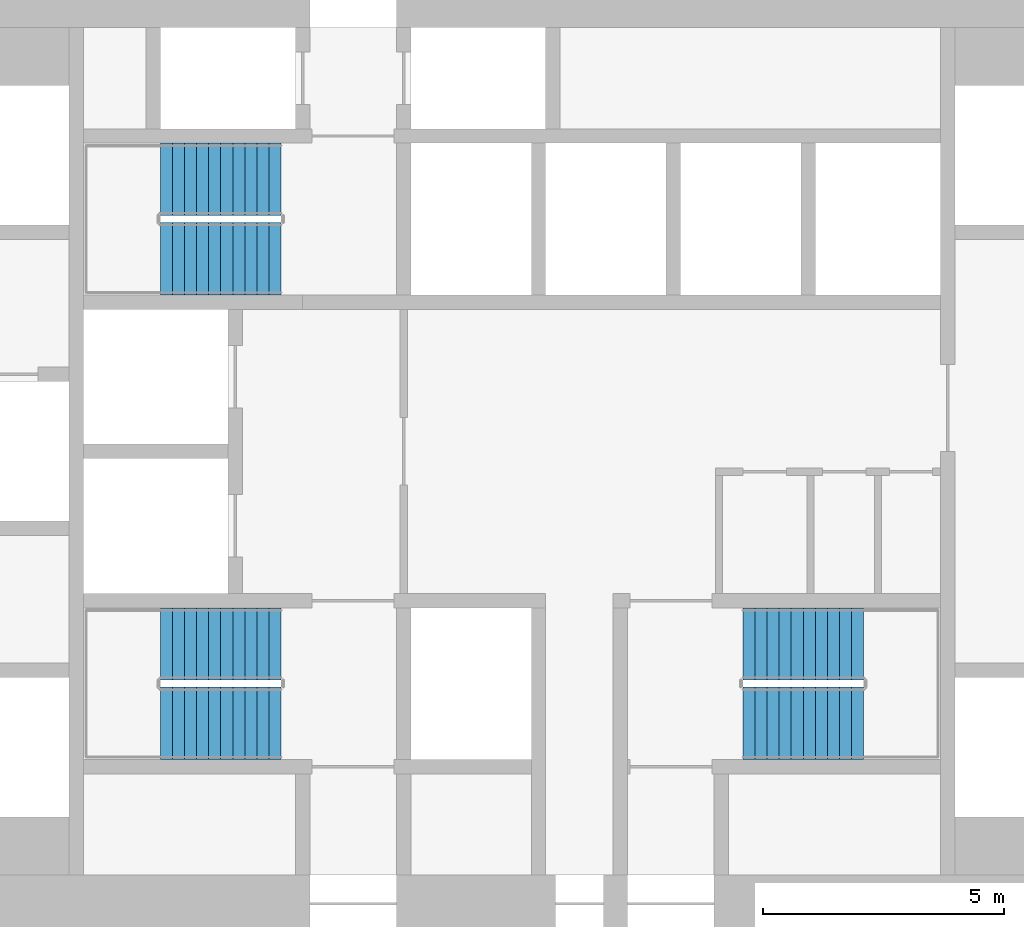
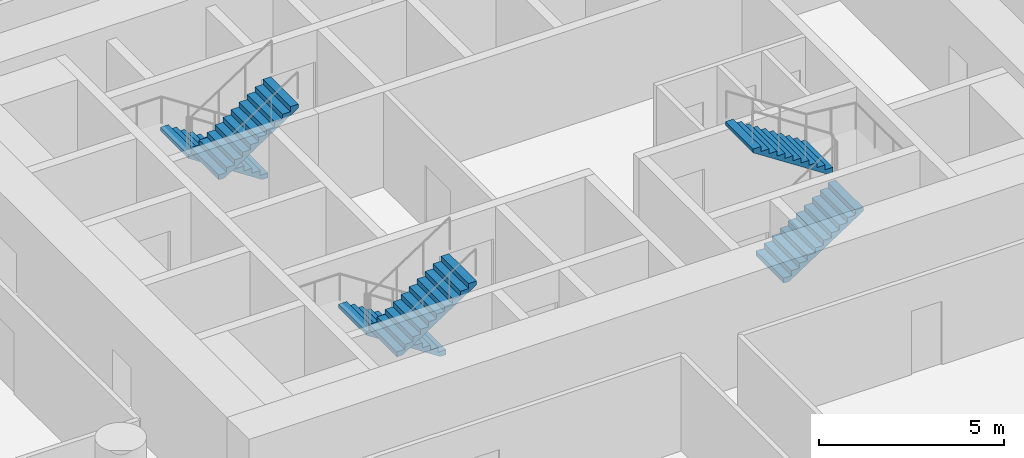
# One storey, part 10 of 11: 6 stair flights, 3 elements without a shape of their own.
"""IFC4 building model written with IfcOpenShell, lengths in metres."""

from ifc_helpers import new_model, si_unit, direction, frame, origin, place, context, subcontext, project, spatial, polyline, outline, extrude, material, type_object, element, aggregate, save


model = new_model("IFC4")

# Units and contexts
model_context = context("Model", 3, precision=1e-05, world=origin(), true_north=direction((0.0, 1.0)))
body_context = subcontext(model_context, "Body", "Model", "MODEL_VIEW")
ifc_project = project(units=[si_unit("LENGTHUNIT", "METRE"), si_unit("AREAUNIT", "SQUARE_METRE"), si_unit("VOLUMEUNIT", "CUBIC_METRE"), si_unit("PLANEANGLEUNIT", "RADIAN"), si_unit("MASSUNIT", "GRAM", prefix="KILO")], contexts=[model_context])

# Site, building, storey
site_placement = place(None, origin())
site = spatial("IfcSite", under=ifc_project, at=site_placement, CompositionType="ELEMENT")
building_placement = place(site_placement, origin())
building = spatial("IfcBuilding", under=site, at=building_placement, Name="Tracery Tower", CompositionType="ELEMENT")
storey_placement = place(building_placement, frame((0.0, 0.0, 100.199951171875)))
storey = spatial("IfcBuildingStorey", under=building, at=storey_placement, Name="L25", CompositionType="ELEMENT", Elevation=100.199951171875)

# Stair, stair flights
ifc_material_1 = material(Name="Concrete C32/40", Category="concrete")
stair_type = type_object("IfcStairType", Name="Core stair 22 risers", PredefinedType="HALF_TURN_STAIR", material=ifc_material_1)
stair_1_placement = place(storey_placement, origin())
stair_1 = element("IfcStair", 1, at=stair_1_placement, inside=storey, type_object=stair_type, Name="L25 stair ST1", PredefinedType="HALF_TURN_STAIR")
ifc_material_2 = material(Name="Concrete C32/40", Category="concrete")
stair_flight_type = type_object("IfcStairFlightType", Name="Core stair flight 11 risers", PredefinedType="STRAIGHT", material=ifc_material_2)
stair_flight_1_placement = place(storey_placement, frame((-4.800048828125, -4.0, 0.0), z_axis=(0.0, 0.0, 1.0), x_axis=(-1.0, 0.0, 0.0)))
stair_flight_1 = element("IfcStairFlight", 2, at=stair_flight_1_placement, type_object=stair_flight_type, Name="ST1 flight 1", NumberOfRisers=11, NumberOfTreads=10, PredefinedType="STRAIGHT", RiserHeight=0.163636364, TreadLength=0.25, context=body_context, shape_type="SweptSolid", body=[
    extrude(outline(polyline([(0.0, 0.0), (0.0, 0.002685546875), (0.0, 0.00537109375), (0.0, 0.008056640625), (0.0, 0.0107421875), (0.0, 0.013427734375), (0.0, 0.01611328125), (0.0, 0.018798828125), (0.0, 0.021484375), (0.0, 0.024169921875), (0.0, 0.02685546875), (0.0, 0.029541015625), (0.0, 0.0322265625), (0.0, 0.034912109375), (0.0, 0.03759765625), (0.0, 0.040283203125), (0.0, 0.04296875), (0.0, 0.045654296875), (0.0, 0.04833984375), (0.0, 0.051025390625), (0.0, 0.0537109375), (0.0, 0.056396484375), (0.0, 0.05908203125), (0.0, 0.061767578125), (0.0, 0.064453125), (0.0, 0.067138671875), (0.0, 0.06982421875), (0.0, 0.072509765625), (0.0, 0.0751953125), (0.0, 0.077880859375), (0.0, 0.08056640625), (0.0, 0.083251953125), (0.0, 0.0859375), (0.0, 0.088623046875), (0.0, 0.09130859375), (0.0, 0.093994140625), (0.0, 0.0966796875), (0.0, 0.099365234375), (0.0, 0.10205078125), (0.0, 0.104736328125), (0.0, 0.107421875), (0.0, 0.10986328125), (0.0, 0.112548828125), (0.0, 0.115234375), (0.0, 0.117919921875), (0.0, 0.12060546875), (0.0, 0.123291015625), (0.0, 0.1259765625), (0.0, 0.128662109375), (0.0, 0.13134765625), (0.0, 0.134033203125), (0.0, 0.13671875), (0.0, 0.139404296875), (0.0, 0.14208984375), (0.0, 0.144775390625), (0.0, 0.1474609375), (0.0, 0.150146484375), (0.0, 0.15283203125), (0.0, 0.155517578125), (0.0, 0.158203125), (0.0, 0.160888671875), (0.0, 0.16357421875), (0.25, 0.16357421875), (0.25, 0.327392578125), (0.5, 0.327392578125), (0.5, 0.490966796875), (0.75, 0.490966796875), (0.75, 0.654541015625), (1.0, 0.654541015625), (1.0, 0.818115234375), (1.25, 0.818115234375), (1.25, 0.98193359375), (1.5, 0.98193359375), (1.5, 1.1455078125), (1.75, 1.1455078125), (1.75, 1.30908203125), (2.0, 1.30908203125), (2.0, 1.47265625), (2.25, 1.47265625), (2.25, 1.636474609375), (2.5, 1.636474609375), (2.5, 1.634521484375), (2.5, 1.63232421875), (2.5, 1.63037109375), (2.5, 1.62841796875), (2.5, 1.62646484375), (2.5, 1.62451171875), (2.5, 1.62255859375), (2.5, 1.62060546875), (2.5, 1.61865234375), (2.5, 1.61669921875), (2.5, 1.61474609375), (2.5, 1.61279296875), (2.5, 1.61083984375), (2.5, 1.60888671875), (2.5, 1.60693359375), (2.5, 1.60498046875), (2.5, 1.60302734375), (2.5, 1.60107421875), (2.5, 1.59912109375), (2.5, 1.59716796875), (2.5, 1.59521484375), (2.5, 1.59326171875), (2.5, 1.59130859375), (2.5, 1.58935546875), (2.5, 1.58740234375), (2.5, 1.58544921875), (2.5, 1.58349609375), (2.5, 1.58154296875), (2.5, 1.57958984375), (2.5, 1.57763671875), (2.5, 1.57568359375), (2.5, 1.573486328125), (2.5, 1.571533203125), (2.5, 1.569580078125), (2.5, 1.567626953125), (2.5, 1.565673828125), (2.5, 1.563720703125), (2.5, 1.561767578125), (2.5, 1.559814453125), (2.5, 1.557861328125), (2.5, 1.555908203125), (2.5, 1.553955078125), (2.5, 1.552001953125), (2.5, 1.550048828125), (2.5, 1.548095703125), (2.5, 1.546142578125), (2.5, 1.544189453125), (2.5, 1.542236328125), (2.5, 1.540283203125), (2.5, 1.538330078125), (2.5, 1.536376953125), (2.5, 1.534423828125), (2.5, 1.532470703125), (2.5, 1.530517578125), (2.5, 1.528564453125), (2.5, 1.526611328125), (2.5, 1.524658203125), (2.5, 1.522705078125), (2.5, 1.520751953125), (2.5, 1.518798828125), (2.5, 1.516845703125), (0.182861328125, 0.0), (0.0, 0.0)])), frame((0.0, 0.75, 0.0), z_axis=(0.0, -1.0, 0.0), x_axis=(1.0, 0.0, 0.0)), (0.0, 0.0, 1.0), 1.5),
])
stair_flight_2_placement = place(storey_placement, frame((-7.300048828125, -5.64990234375, 1.800048828125), z_axis=(0.0, 0.0, 1.0), x_axis=(1.0, 0.0, 0.0)))
stair_flight_2 = element("IfcStairFlight", 3, at=stair_flight_2_placement, type_object=stair_flight_type, Name="ST1 flight 2", NumberOfRisers=11, NumberOfTreads=10, PredefinedType="STRAIGHT", RiserHeight=0.163636364, TreadLength=0.25, context=body_context, shape_type="SweptSolid", body=[
    extrude(outline(polyline([(0.0, 0.0), (0.0, 0.002685546875), (0.0, 0.00537109375), (0.0, 0.008056640625), (0.0, 0.0107421875), (0.0, 0.013427734375), (0.0, 0.01611328125), (0.0, 0.018798828125), (0.0, 0.021484375), (0.0, 0.024169921875), (0.0, 0.02685546875), (0.0, 0.029541015625), (0.0, 0.0322265625), (0.0, 0.034912109375), (0.0, 0.03759765625), (0.0, 0.040283203125), (0.0, 0.04296875), (0.0, 0.045654296875), (0.0, 0.04833984375), (0.0, 0.051025390625), (0.0, 0.0537109375), (0.0, 0.056396484375), (0.0, 0.05908203125), (0.0, 0.061767578125), (0.0, 0.064453125), (0.0, 0.067138671875), (0.0, 0.06982421875), (0.0, 0.072509765625), (0.0, 0.0751953125), (0.0, 0.077880859375), (0.0, 0.08056640625), (0.0, 0.083251953125), (0.0, 0.0859375), (0.0, 0.088623046875), (0.0, 0.09130859375), (0.0, 0.093994140625), (0.0, 0.0966796875), (0.0, 0.099365234375), (0.0, 0.10205078125), (0.0, 0.104736328125), (0.0, 0.107421875), (0.0, 0.10986328125), (0.0, 0.112548828125), (0.0, 0.115234375), (0.0, 0.117919921875), (0.0, 0.12060546875), (0.0, 0.123291015625), (0.0, 0.1259765625), (0.0, 0.128662109375), (0.0, 0.13134765625), (0.0, 0.134033203125), (0.0, 0.13671875), (0.0, 0.139404296875), (0.0, 0.14208984375), (0.0, 0.144775390625), (0.0, 0.1474609375), (0.0, 0.150146484375), (0.0, 0.15283203125), (0.0, 0.155517578125), (0.0, 0.158203125), (0.0, 0.160888671875), (0.0, 0.16357421875), (0.25, 0.16357421875), (0.25, 0.327392578125), (0.5, 0.327392578125), (0.5, 0.490966796875), (0.75, 0.490966796875), (0.75, 0.654541015625), (1.0, 0.654541015625), (1.0, 0.818115234375), (1.25, 0.818115234375), (1.25, 0.98193359375), (1.5, 0.98193359375), (1.5, 1.1455078125), (1.75, 1.1455078125), (1.75, 1.30908203125), (2.0, 1.30908203125), (2.0, 1.47265625), (2.25, 1.47265625), (2.25, 1.636474609375), (2.5, 1.636474609375), (2.5, 1.634521484375), (2.5, 1.63232421875), (2.5, 1.63037109375), (2.5, 1.62841796875), (2.5, 1.62646484375), (2.5, 1.62451171875), (2.5, 1.62255859375), (2.5, 1.62060546875), (2.5, 1.61865234375), (2.5, 1.61669921875), (2.5, 1.61474609375), (2.5, 1.61279296875), (2.5, 1.61083984375), (2.5, 1.60888671875), (2.5, 1.60693359375), (2.5, 1.60498046875), (2.5, 1.60302734375), (2.5, 1.60107421875), (2.5, 1.59912109375), (2.5, 1.59716796875), (2.5, 1.59521484375), (2.5, 1.59326171875), (2.5, 1.59130859375), (2.5, 1.58935546875), (2.5, 1.58740234375), (2.5, 1.58544921875), (2.5, 1.58349609375), (2.5, 1.58154296875), (2.5, 1.57958984375), (2.5, 1.57763671875), (2.5, 1.57568359375), (2.5, 1.573486328125), (2.5, 1.571533203125), (2.5, 1.569580078125), (2.5, 1.567626953125), (2.5, 1.565673828125), (2.5, 1.563720703125), (2.5, 1.561767578125), (2.5, 1.559814453125), (2.5, 1.557861328125), (2.5, 1.555908203125), (2.5, 1.553955078125), (2.5, 1.552001953125), (2.5, 1.550048828125), (2.5, 1.548095703125), (2.5, 1.546142578125), (2.5, 1.544189453125), (2.5, 1.542236328125), (2.5, 1.540283203125), (2.5, 1.538330078125), (2.5, 1.536376953125), (2.5, 1.534423828125), (2.5, 1.532470703125), (2.5, 1.530517578125), (2.5, 1.528564453125), (2.5, 1.526611328125), (2.5, 1.524658203125), (2.5, 1.522705078125), (2.5, 1.520751953125), (2.5, 1.518798828125), (2.5, 1.516845703125), (0.182861328125, 0.0), (0.0, 0.0)])), frame((0.0, 0.75, 0.0), z_axis=(0.0, -1.0, 0.0), x_axis=(1.0, 0.0, 0.0)), (0.0, 0.0, 1.0), 1.5),
])
aggregate(stair_1, [stair_flight_1, stair_flight_2])

stair_2_placement = place(storey_placement, origin())
stair_2 = element("IfcStair", 4, at=stair_2_placement, inside=storey, type_object=stair_type, Name="L25 stair ST3", PredefinedType="HALF_TURN_STAIR")
stair_flight_3_placement = place(storey_placement, frame((-4.800048828125, 5.64990234375, 0.0), z_axis=(0.0, 0.0, 1.0), x_axis=(-1.0, 0.0, 0.0)))
stair_flight_3 = element("IfcStairFlight", 5, at=stair_flight_3_placement, type_object=stair_flight_type, Name="ST3 flight 1", NumberOfRisers=11, NumberOfTreads=10, PredefinedType="STRAIGHT", RiserHeight=0.163636364, TreadLength=0.25, context=body_context, shape_type="SweptSolid", body=[
    extrude(outline(polyline([(0.0, 0.0), (0.0, 0.002685546875), (0.0, 0.00537109375), (0.0, 0.008056640625), (0.0, 0.0107421875), (0.0, 0.013427734375), (0.0, 0.01611328125), (0.0, 0.018798828125), (0.0, 0.021484375), (0.0, 0.024169921875), (0.0, 0.02685546875), (0.0, 0.029541015625), (0.0, 0.0322265625), (0.0, 0.034912109375), (0.0, 0.03759765625), (0.0, 0.040283203125), (0.0, 0.04296875), (0.0, 0.045654296875), (0.0, 0.04833984375), (0.0, 0.051025390625), (0.0, 0.0537109375), (0.0, 0.056396484375), (0.0, 0.05908203125), (0.0, 0.061767578125), (0.0, 0.064453125), (0.0, 0.067138671875), (0.0, 0.06982421875), (0.0, 0.072509765625), (0.0, 0.0751953125), (0.0, 0.077880859375), (0.0, 0.08056640625), (0.0, 0.083251953125), (0.0, 0.0859375), (0.0, 0.088623046875), (0.0, 0.09130859375), (0.0, 0.093994140625), (0.0, 0.0966796875), (0.0, 0.099365234375), (0.0, 0.10205078125), (0.0, 0.104736328125), (0.0, 0.107421875), (0.0, 0.10986328125), (0.0, 0.112548828125), (0.0, 0.115234375), (0.0, 0.117919921875), (0.0, 0.12060546875), (0.0, 0.123291015625), (0.0, 0.1259765625), (0.0, 0.128662109375), (0.0, 0.13134765625), (0.0, 0.134033203125), (0.0, 0.13671875), (0.0, 0.139404296875), (0.0, 0.14208984375), (0.0, 0.144775390625), (0.0, 0.1474609375), (0.0, 0.150146484375), (0.0, 0.15283203125), (0.0, 0.155517578125), (0.0, 0.158203125), (0.0, 0.160888671875), (0.0, 0.16357421875), (0.25, 0.16357421875), (0.25, 0.327392578125), (0.5, 0.327392578125), (0.5, 0.490966796875), (0.75, 0.490966796875), (0.75, 0.654541015625), (1.0, 0.654541015625), (1.0, 0.818115234375), (1.25, 0.818115234375), (1.25, 0.98193359375), (1.5, 0.98193359375), (1.5, 1.1455078125), (1.75, 1.1455078125), (1.75, 1.30908203125), (2.0, 1.30908203125), (2.0, 1.47265625), (2.25, 1.47265625), (2.25, 1.636474609375), (2.5, 1.636474609375), (2.5, 1.634521484375), (2.5, 1.63232421875), (2.5, 1.63037109375), (2.5, 1.62841796875), (2.5, 1.62646484375), (2.5, 1.62451171875), (2.5, 1.62255859375), (2.5, 1.62060546875), (2.5, 1.61865234375), (2.5, 1.61669921875), (2.5, 1.61474609375), (2.5, 1.61279296875), (2.5, 1.61083984375), (2.5, 1.60888671875), (2.5, 1.60693359375), (2.5, 1.60498046875), (2.5, 1.60302734375), (2.5, 1.60107421875), (2.5, 1.59912109375), (2.5, 1.59716796875), (2.5, 1.59521484375), (2.5, 1.59326171875), (2.5, 1.59130859375), (2.5, 1.58935546875), (2.5, 1.58740234375), (2.5, 1.58544921875), (2.5, 1.58349609375), (2.5, 1.58154296875), (2.5, 1.57958984375), (2.5, 1.57763671875), (2.5, 1.57568359375), (2.5, 1.573486328125), (2.5, 1.571533203125), (2.5, 1.569580078125), (2.5, 1.567626953125), (2.5, 1.565673828125), (2.5, 1.563720703125), (2.5, 1.561767578125), (2.5, 1.559814453125), (2.5, 1.557861328125), (2.5, 1.555908203125), (2.5, 1.553955078125), (2.5, 1.552001953125), (2.5, 1.550048828125), (2.5, 1.548095703125), (2.5, 1.546142578125), (2.5, 1.544189453125), (2.5, 1.542236328125), (2.5, 1.540283203125), (2.5, 1.538330078125), (2.5, 1.536376953125), (2.5, 1.534423828125), (2.5, 1.532470703125), (2.5, 1.530517578125), (2.5, 1.528564453125), (2.5, 1.526611328125), (2.5, 1.524658203125), (2.5, 1.522705078125), (2.5, 1.520751953125), (2.5, 1.518798828125), (2.5, 1.516845703125), (0.182861328125, 0.0), (0.0, 0.0)])), frame((0.0, 0.75, 0.0), z_axis=(0.0, -1.0, 0.0), x_axis=(1.0, 0.0, 0.0)), (0.0, 0.0, 1.0), 1.5),
])
stair_flight_4_placement = place(storey_placement, frame((-7.300048828125, 4.0, 1.800048828125), z_axis=(0.0, 0.0, 1.0), x_axis=(1.0, 0.0, 0.0)))
stair_flight_4 = element("IfcStairFlight", 6, at=stair_flight_4_placement, type_object=stair_flight_type, Name="ST3 flight 2", NumberOfRisers=11, NumberOfTreads=10, PredefinedType="STRAIGHT", RiserHeight=0.163636364, TreadLength=0.25, context=body_context, shape_type="SweptSolid", body=[
    extrude(outline(polyline([(0.0, 0.0), (0.0, 0.002685546875), (0.0, 0.00537109375), (0.0, 0.008056640625), (0.0, 0.0107421875), (0.0, 0.013427734375), (0.0, 0.01611328125), (0.0, 0.018798828125), (0.0, 0.021484375), (0.0, 0.024169921875), (0.0, 0.02685546875), (0.0, 0.029541015625), (0.0, 0.0322265625), (0.0, 0.034912109375), (0.0, 0.03759765625), (0.0, 0.040283203125), (0.0, 0.04296875), (0.0, 0.045654296875), (0.0, 0.04833984375), (0.0, 0.051025390625), (0.0, 0.0537109375), (0.0, 0.056396484375), (0.0, 0.05908203125), (0.0, 0.061767578125), (0.0, 0.064453125), (0.0, 0.067138671875), (0.0, 0.06982421875), (0.0, 0.072509765625), (0.0, 0.0751953125), (0.0, 0.077880859375), (0.0, 0.08056640625), (0.0, 0.083251953125), (0.0, 0.0859375), (0.0, 0.088623046875), (0.0, 0.09130859375), (0.0, 0.093994140625), (0.0, 0.0966796875), (0.0, 0.099365234375), (0.0, 0.10205078125), (0.0, 0.104736328125), (0.0, 0.107421875), (0.0, 0.10986328125), (0.0, 0.112548828125), (0.0, 0.115234375), (0.0, 0.117919921875), (0.0, 0.12060546875), (0.0, 0.123291015625), (0.0, 0.1259765625), (0.0, 0.128662109375), (0.0, 0.13134765625), (0.0, 0.134033203125), (0.0, 0.13671875), (0.0, 0.139404296875), (0.0, 0.14208984375), (0.0, 0.144775390625), (0.0, 0.1474609375), (0.0, 0.150146484375), (0.0, 0.15283203125), (0.0, 0.155517578125), (0.0, 0.158203125), (0.0, 0.160888671875), (0.0, 0.16357421875), (0.25, 0.16357421875), (0.25, 0.327392578125), (0.5, 0.327392578125), (0.5, 0.490966796875), (0.75, 0.490966796875), (0.75, 0.654541015625), (1.0, 0.654541015625), (1.0, 0.818115234375), (1.25, 0.818115234375), (1.25, 0.98193359375), (1.5, 0.98193359375), (1.5, 1.1455078125), (1.75, 1.1455078125), (1.75, 1.30908203125), (2.0, 1.30908203125), (2.0, 1.47265625), (2.25, 1.47265625), (2.25, 1.636474609375), (2.5, 1.636474609375), (2.5, 1.634521484375), (2.5, 1.63232421875), (2.5, 1.63037109375), (2.5, 1.62841796875), (2.5, 1.62646484375), (2.5, 1.62451171875), (2.5, 1.62255859375), (2.5, 1.62060546875), (2.5, 1.61865234375), (2.5, 1.61669921875), (2.5, 1.61474609375), (2.5, 1.61279296875), (2.5, 1.61083984375), (2.5, 1.60888671875), (2.5, 1.60693359375), (2.5, 1.60498046875), (2.5, 1.60302734375), (2.5, 1.60107421875), (2.5, 1.59912109375), (2.5, 1.59716796875), (2.5, 1.59521484375), (2.5, 1.59326171875), (2.5, 1.59130859375), (2.5, 1.58935546875), (2.5, 1.58740234375), (2.5, 1.58544921875), (2.5, 1.58349609375), (2.5, 1.58154296875), (2.5, 1.57958984375), (2.5, 1.57763671875), (2.5, 1.57568359375), (2.5, 1.573486328125), (2.5, 1.571533203125), (2.5, 1.569580078125), (2.5, 1.567626953125), (2.5, 1.565673828125), (2.5, 1.563720703125), (2.5, 1.561767578125), (2.5, 1.559814453125), (2.5, 1.557861328125), (2.5, 1.555908203125), (2.5, 1.553955078125), (2.5, 1.552001953125), (2.5, 1.550048828125), (2.5, 1.548095703125), (2.5, 1.546142578125), (2.5, 1.544189453125), (2.5, 1.542236328125), (2.5, 1.540283203125), (2.5, 1.538330078125), (2.5, 1.536376953125), (2.5, 1.534423828125), (2.5, 1.532470703125), (2.5, 1.530517578125), (2.5, 1.528564453125), (2.5, 1.526611328125), (2.5, 1.524658203125), (2.5, 1.522705078125), (2.5, 1.520751953125), (2.5, 1.518798828125), (2.5, 1.516845703125), (0.182861328125, 0.0), (0.0, 0.0)])), frame((0.0, 0.75, 0.0), z_axis=(0.0, -1.0, 0.0), x_axis=(1.0, 0.0, 0.0)), (0.0, 0.0, 1.0), 1.5),
])
aggregate(stair_2, [stair_flight_3, stair_flight_4])

stair_3_placement = place(storey_placement, origin())
stair_3 = element("IfcStair", 7, at=stair_3_placement, inside=storey, type_object=stair_type, Name="L25 stair ST2", PredefinedType="HALF_TURN_STAIR")
stair_flight_5_placement = place(storey_placement, frame((4.800048828125, -5.64990234375, 0.0), z_axis=(0.0, 0.0, 1.0), x_axis=(1.0, 0.0, 0.0)))
stair_flight_5 = element("IfcStairFlight", 8, at=stair_flight_5_placement, type_object=stair_flight_type, Name="ST2 flight 1", NumberOfRisers=11, NumberOfTreads=10, PredefinedType="STRAIGHT", RiserHeight=0.163636364, TreadLength=0.25, context=body_context, shape_type="SweptSolid", body=[
    extrude(outline(polyline([(0.0, 0.0), (0.0, 0.002685546875), (0.0, 0.00537109375), (0.0, 0.008056640625), (0.0, 0.0107421875), (0.0, 0.013427734375), (0.0, 0.01611328125), (0.0, 0.018798828125), (0.0, 0.021484375), (0.0, 0.024169921875), (0.0, 0.02685546875), (0.0, 0.029541015625), (0.0, 0.0322265625), (0.0, 0.034912109375), (0.0, 0.03759765625), (0.0, 0.040283203125), (0.0, 0.04296875), (0.0, 0.045654296875), (0.0, 0.04833984375), (0.0, 0.051025390625), (0.0, 0.0537109375), (0.0, 0.056396484375), (0.0, 0.05908203125), (0.0, 0.061767578125), (0.0, 0.064453125), (0.0, 0.067138671875), (0.0, 0.06982421875), (0.0, 0.072509765625), (0.0, 0.0751953125), (0.0, 0.077880859375), (0.0, 0.08056640625), (0.0, 0.083251953125), (0.0, 0.0859375), (0.0, 0.088623046875), (0.0, 0.09130859375), (0.0, 0.093994140625), (0.0, 0.0966796875), (0.0, 0.099365234375), (0.0, 0.10205078125), (0.0, 0.104736328125), (0.0, 0.107421875), (0.0, 0.10986328125), (0.0, 0.112548828125), (0.0, 0.115234375), (0.0, 0.117919921875), (0.0, 0.12060546875), (0.0, 0.123291015625), (0.0, 0.1259765625), (0.0, 0.128662109375), (0.0, 0.13134765625), (0.0, 0.134033203125), (0.0, 0.13671875), (0.0, 0.139404296875), (0.0, 0.14208984375), (0.0, 0.144775390625), (0.0, 0.1474609375), (0.0, 0.150146484375), (0.0, 0.15283203125), (0.0, 0.155517578125), (0.0, 0.158203125), (0.0, 0.160888671875), (0.0, 0.16357421875), (0.25, 0.16357421875), (0.25, 0.327392578125), (0.5, 0.327392578125), (0.5, 0.490966796875), (0.75, 0.490966796875), (0.75, 0.654541015625), (1.0, 0.654541015625), (1.0, 0.818115234375), (1.25, 0.818115234375), (1.25, 0.98193359375), (1.5, 0.98193359375), (1.5, 1.1455078125), (1.75, 1.1455078125), (1.75, 1.30908203125), (2.0, 1.30908203125), (2.0, 1.47265625), (2.25, 1.47265625), (2.25, 1.636474609375), (2.5, 1.636474609375), (2.5, 1.634521484375), (2.5, 1.63232421875), (2.5, 1.63037109375), (2.5, 1.62841796875), (2.5, 1.62646484375), (2.5, 1.62451171875), (2.5, 1.62255859375), (2.5, 1.62060546875), (2.5, 1.61865234375), (2.5, 1.61669921875), (2.5, 1.61474609375), (2.5, 1.61279296875), (2.5, 1.61083984375), (2.5, 1.60888671875), (2.5, 1.60693359375), (2.5, 1.60498046875), (2.5, 1.60302734375), (2.5, 1.60107421875), (2.5, 1.59912109375), (2.5, 1.59716796875), (2.5, 1.59521484375), (2.5, 1.59326171875), (2.5, 1.59130859375), (2.5, 1.58935546875), (2.5, 1.58740234375), (2.5, 1.58544921875), (2.5, 1.58349609375), (2.5, 1.58154296875), (2.5, 1.57958984375), (2.5, 1.57763671875), (2.5, 1.57568359375), (2.5, 1.573486328125), (2.5, 1.571533203125), (2.5, 1.569580078125), (2.5, 1.567626953125), (2.5, 1.565673828125), (2.5, 1.563720703125), (2.5, 1.561767578125), (2.5, 1.559814453125), (2.5, 1.557861328125), (2.5, 1.555908203125), (2.5, 1.553955078125), (2.5, 1.552001953125), (2.5, 1.550048828125), (2.5, 1.548095703125), (2.5, 1.546142578125), (2.5, 1.544189453125), (2.5, 1.542236328125), (2.5, 1.540283203125), (2.5, 1.538330078125), (2.5, 1.536376953125), (2.5, 1.534423828125), (2.5, 1.532470703125), (2.5, 1.530517578125), (2.5, 1.528564453125), (2.5, 1.526611328125), (2.5, 1.524658203125), (2.5, 1.522705078125), (2.5, 1.520751953125), (2.5, 1.518798828125), (2.5, 1.516845703125), (0.182861328125, 0.0), (0.0, 0.0)])), frame((0.0, 0.75, 0.0), z_axis=(0.0, -1.0, 0.0), x_axis=(1.0, 0.0, 0.0)), (0.0, 0.0, 1.0), 1.5),
])
stair_flight_6_placement = place(storey_placement, frame((7.300048828125, -4.0, 1.800048828125), z_axis=(0.0, 0.0, 1.0), x_axis=(-1.0, 0.0, 0.0)))
stair_flight_6 = element("IfcStairFlight", 9, at=stair_flight_6_placement, type_object=stair_flight_type, Name="ST2 flight 2", NumberOfRisers=11, NumberOfTreads=10, PredefinedType="STRAIGHT", RiserHeight=0.163636364, TreadLength=0.25, context=body_context, shape_type="SweptSolid", body=[
    extrude(outline(polyline([(0.0, 0.0), (0.0, 0.002685546875), (0.0, 0.00537109375), (0.0, 0.008056640625), (0.0, 0.0107421875), (0.0, 0.013427734375), (0.0, 0.01611328125), (0.0, 0.018798828125), (0.0, 0.021484375), (0.0, 0.024169921875), (0.0, 0.02685546875), (0.0, 0.029541015625), (0.0, 0.0322265625), (0.0, 0.034912109375), (0.0, 0.03759765625), (0.0, 0.040283203125), (0.0, 0.04296875), (0.0, 0.045654296875), (0.0, 0.04833984375), (0.0, 0.051025390625), (0.0, 0.0537109375), (0.0, 0.056396484375), (0.0, 0.05908203125), (0.0, 0.061767578125), (0.0, 0.064453125), (0.0, 0.067138671875), (0.0, 0.06982421875), (0.0, 0.072509765625), (0.0, 0.0751953125), (0.0, 0.077880859375), (0.0, 0.08056640625), (0.0, 0.083251953125), (0.0, 0.0859375), (0.0, 0.088623046875), (0.0, 0.09130859375), (0.0, 0.093994140625), (0.0, 0.0966796875), (0.0, 0.099365234375), (0.0, 0.10205078125), (0.0, 0.104736328125), (0.0, 0.107421875), (0.0, 0.10986328125), (0.0, 0.112548828125), (0.0, 0.115234375), (0.0, 0.117919921875), (0.0, 0.12060546875), (0.0, 0.123291015625), (0.0, 0.1259765625), (0.0, 0.128662109375), (0.0, 0.13134765625), (0.0, 0.134033203125), (0.0, 0.13671875), (0.0, 0.139404296875), (0.0, 0.14208984375), (0.0, 0.144775390625), (0.0, 0.1474609375), (0.0, 0.150146484375), (0.0, 0.15283203125), (0.0, 0.155517578125), (0.0, 0.158203125), (0.0, 0.160888671875), (0.0, 0.16357421875), (0.25, 0.16357421875), (0.25, 0.327392578125), (0.5, 0.327392578125), (0.5, 0.490966796875), (0.75, 0.490966796875), (0.75, 0.654541015625), (1.0, 0.654541015625), (1.0, 0.818115234375), (1.25, 0.818115234375), (1.25, 0.98193359375), (1.5, 0.98193359375), (1.5, 1.1455078125), (1.75, 1.1455078125), (1.75, 1.30908203125), (2.0, 1.30908203125), (2.0, 1.47265625), (2.25, 1.47265625), (2.25, 1.636474609375), (2.5, 1.636474609375), (2.5, 1.634521484375), (2.5, 1.63232421875), (2.5, 1.63037109375), (2.5, 1.62841796875), (2.5, 1.62646484375), (2.5, 1.62451171875), (2.5, 1.62255859375), (2.5, 1.62060546875), (2.5, 1.61865234375), (2.5, 1.61669921875), (2.5, 1.61474609375), (2.5, 1.61279296875), (2.5, 1.61083984375), (2.5, 1.60888671875), (2.5, 1.60693359375), (2.5, 1.60498046875), (2.5, 1.60302734375), (2.5, 1.60107421875), (2.5, 1.59912109375), (2.5, 1.59716796875), (2.5, 1.59521484375), (2.5, 1.59326171875), (2.5, 1.59130859375), (2.5, 1.58935546875), (2.5, 1.58740234375), (2.5, 1.58544921875), (2.5, 1.58349609375), (2.5, 1.58154296875), (2.5, 1.57958984375), (2.5, 1.57763671875), (2.5, 1.57568359375), (2.5, 1.573486328125), (2.5, 1.571533203125), (2.5, 1.569580078125), (2.5, 1.567626953125), (2.5, 1.565673828125), (2.5, 1.563720703125), (2.5, 1.561767578125), (2.5, 1.559814453125), (2.5, 1.557861328125), (2.5, 1.555908203125), (2.5, 1.553955078125), (2.5, 1.552001953125), (2.5, 1.550048828125), (2.5, 1.548095703125), (2.5, 1.546142578125), (2.5, 1.544189453125), (2.5, 1.542236328125), (2.5, 1.540283203125), (2.5, 1.538330078125), (2.5, 1.536376953125), (2.5, 1.534423828125), (2.5, 1.532470703125), (2.5, 1.530517578125), (2.5, 1.528564453125), (2.5, 1.526611328125), (2.5, 1.524658203125), (2.5, 1.522705078125), (2.5, 1.520751953125), (2.5, 1.518798828125), (2.5, 1.516845703125), (0.182861328125, 0.0), (0.0, 0.0)])), frame((0.0, 0.75, 0.0), z_axis=(0.0, -1.0, 0.0), x_axis=(1.0, 0.0, 0.0)), (0.0, 0.0, 1.0), 1.5),
])
aggregate(stair_3, [stair_flight_5, stair_flight_6])

save(model, "model.ifc")
